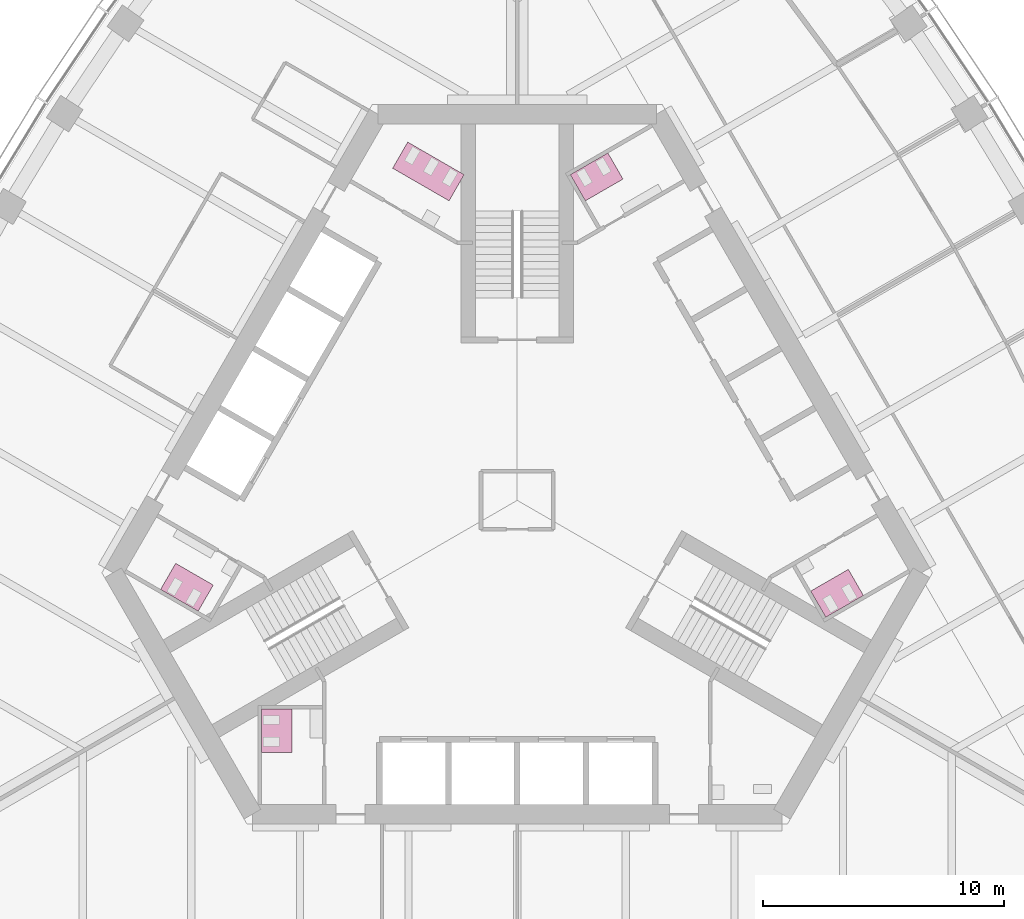
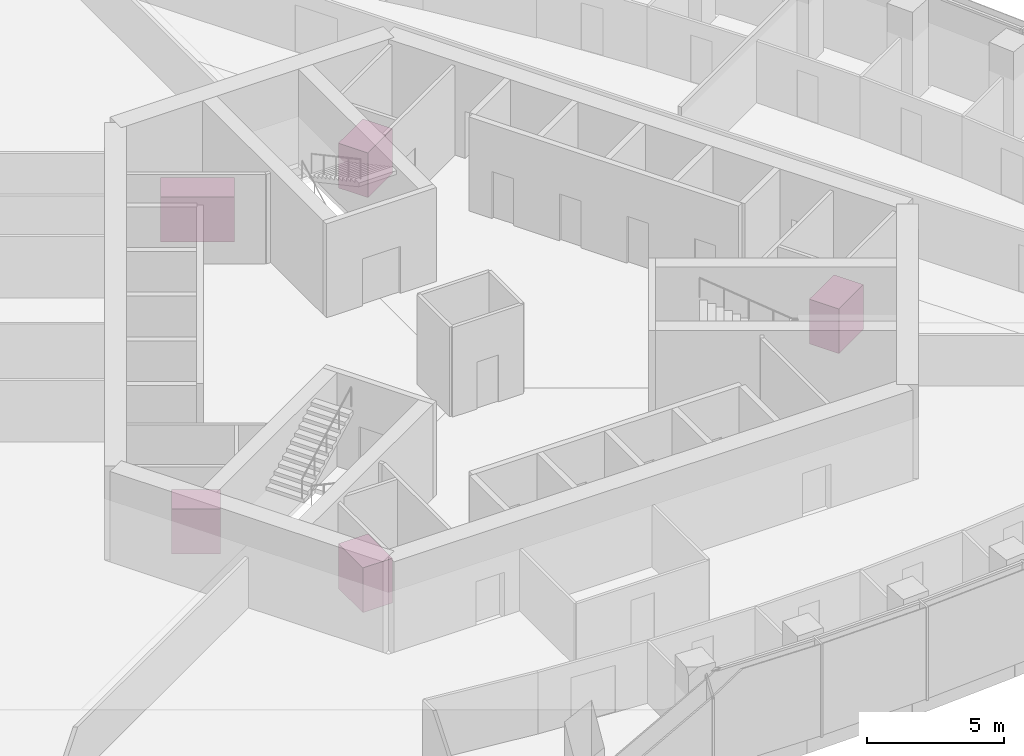
# One storey, part 20 of 20: 5 furniture elements.
"""IFC4 building model written with IfcOpenShell, lengths in metres."""

from ifc_helpers import new_model, si_unit, direction, frame, origin, place, context, subcontext, project, spatial, polyline, outline, extrude, material, type_object, element, save


model = new_model("IFC4")

# Units and contexts
model_context = context("Model", 3, precision=1e-05, world=origin(), true_north=direction((0.0, 1.0)))
body_context = subcontext(model_context, "Body", "Model", "MODEL_VIEW")
ifc_project = project(units=[si_unit("LENGTHUNIT", "METRE"), si_unit("AREAUNIT", "SQUARE_METRE"), si_unit("VOLUMEUNIT", "CUBIC_METRE"), si_unit("PLANEANGLEUNIT", "RADIAN"), si_unit("MASSUNIT", "GRAM", prefix="KILO")], contexts=[model_context])

# Site, building, storey
site_placement = place(None, origin())
site = spatial("IfcSite", under=ifc_project, at=site_placement, CompositionType="ELEMENT")
building_placement = place(site_placement, origin())
building = spatial("IfcBuilding", under=site, at=building_placement, Name="Trefoil Bronze Tower", CompositionType="ELEMENT")
storey_placement = place(building_placement, frame((0.0, 0.0, 210.699951171875)))
storey = spatial("IfcBuildingStorey", under=building, at=storey_placement, Name="L48", CompositionType="ELEMENT", Elevation=210.699951171875)

# Furniture
ifc_material_1 = material(Name="Compact laminate cubicles", Category="plastic")
furniture_type_1 = type_object("IfcFurnitureType", Name="WC cubicle range 2 cubicles", AssemblyPlace="FACTORY", PredefinedType="USERDEFINED", material=ifc_material_1)
furniture_1_placement = place(storey_placement, origin())
element("IfcFurniture", 1, at=furniture_1_placement, inside=storey, type_object=furniture_type_1, Name="WC cubicle range WC (women) L48", ObjectType="WC cubicle range", PredefinedType="USERDEFINED", context=body_context, shape_type="SweptSolid", body=[
    extrude(outline(polyline([(12.15869140625, -3.75927734375), (12.78369140625, -4.841796875), (14.342529296875, -3.94189453125), (13.717529296875, -2.859375), (12.15869140625, -3.75927734375)])), origin(), (0.0, 0.0, 1.0), 2.0),
])
furniture_2_placement = place(storey_placement, origin())
element("IfcFurniture", 2, at=furniture_2_placement, inside=storey, type_object=furniture_type_1, Name="WC cubicle range WC (men) L48", ObjectType="WC cubicle range", PredefinedType="USERDEFINED", context=body_context, shape_type="SweptSolid", body=[
    extrude(outline(polyline([(2.82373046875, 12.409423828125), (2.19873046875, 13.491943359375), (3.757568359375, 14.391845703125), (4.382568359375, 13.309326171875), (2.82373046875, 12.409423828125)])), origin(), (0.0, 0.0, 1.0), 2.0),
])
furniture_3_placement = place(storey_placement, origin())
element("IfcFurniture", 3, at=furniture_3_placement, inside=storey, type_object=furniture_type_1, Name="WC cubicle range WC (men) L48", ObjectType="WC cubicle range", PredefinedType="USERDEFINED", context=body_context, shape_type="SweptSolid", body=[
    extrude(outline(polyline([(-12.591552734375, -3.50927734375), (-13.216552734375, -4.591796875), (-14.775390625, -3.69189453125), (-14.150390625, -2.609375), (-12.591552734375, -3.50927734375)])), origin(), (0.0, 0.0, 1.0), 2.0),
])
furniture_4_placement = place(storey_placement, origin())
element("IfcFurniture", 4, at=furniture_4_placement, inside=storey, type_object=furniture_type_1, Name="WC cubicle range WC (women) L48", ObjectType="WC cubicle range", PredefinedType="USERDEFINED", context=body_context, shape_type="SweptSolid", body=[
    extrude(outline(polyline([(-9.3349609375, -8.64990234375), (-10.5849609375, -8.64990234375), (-10.5849609375, -10.449951171875), (-9.3349609375, -10.449951171875), (-9.3349609375, -8.64990234375)])), origin(), (0.0, 0.0, 1.0), 2.0),
])
ifc_material_2 = material(Name="Compact laminate cubicles", Category="plastic")
furniture_type_2 = type_object("IfcFurnitureType", Name="WC cubicle range 3 cubicles", AssemblyPlace="FACTORY", PredefinedType="USERDEFINED", material=ifc_material_2)
furniture_5_placement = place(storey_placement, origin())
element("IfcFurniture", 5, at=furniture_5_placement, inside=storey, type_object=furniture_type_2, Name="WC cubicle range WC (women) L48", ObjectType="WC cubicle range", PredefinedType="USERDEFINED", context=body_context, shape_type="SweptSolid", body=[
    extrude(outline(polyline([(-2.82373046875, 12.409423828125), (-2.19873046875, 13.491943359375), (-4.536865234375, 14.841796875), (-5.161865234375, 13.75927734375), (-2.82373046875, 12.409423828125)])), origin(), (0.0, 0.0, 1.0), 2.0),
])

save(model, "model.ifc")
